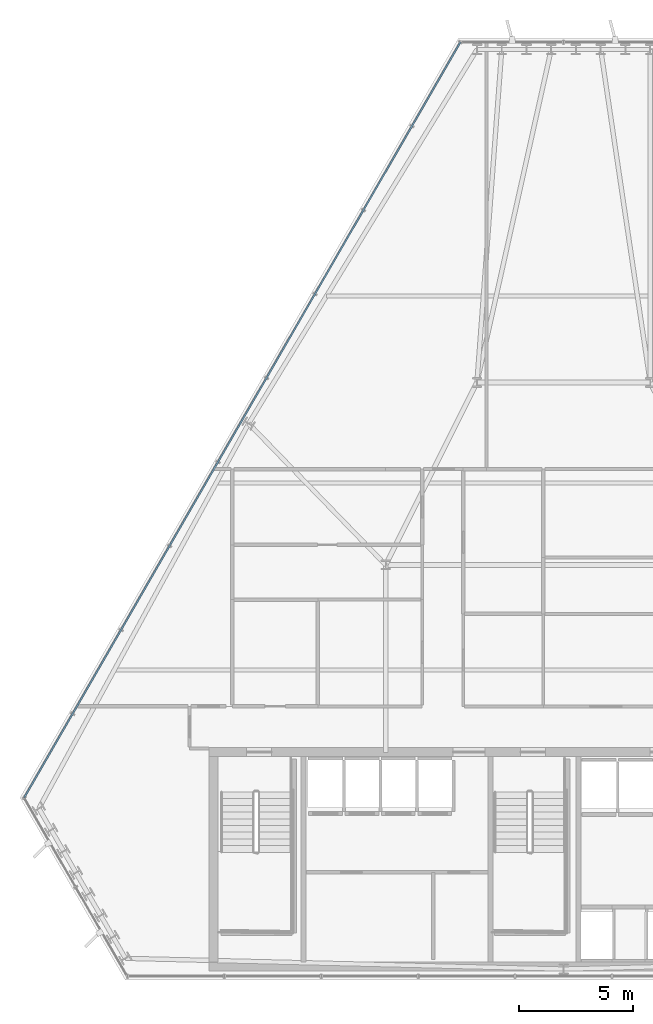
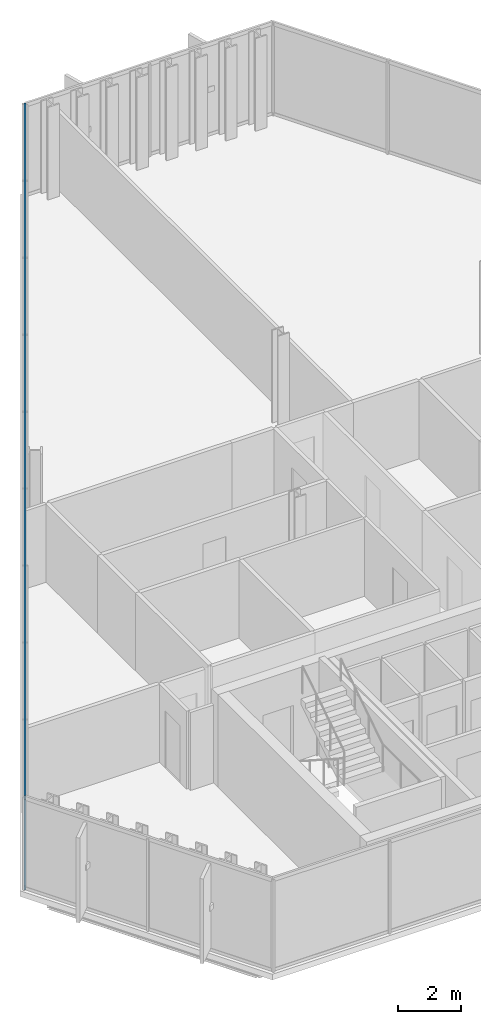
# One storey, part 11 of 34: 2 members, 1 element without a shape of its own.
"""IFC4 building model written with IfcOpenShell, lengths in metres."""

from ifc_helpers import new_model, si_unit, direction, frame, origin, origin_2d, place, context, subcontext, project, spatial, hollow_rectangle, extrude, material, layer, layer_set, material_profile, profile_set, type_object, element, aggregate, save


model = new_model("IFC4")

# Units and contexts
model_context = context("Model", 3, precision=1e-05, world=origin(), true_north=direction((0.0, 1.0)))
body_context = subcontext(model_context, "Body", "Model", "MODEL_VIEW")
ifc_project = project(units=[si_unit("LENGTHUNIT", "METRE"), si_unit("AREAUNIT", "SQUARE_METRE"), si_unit("VOLUMEUNIT", "CUBIC_METRE"), si_unit("PLANEANGLEUNIT", "RADIAN"), si_unit("MASSUNIT", "GRAM", prefix="KILO")], contexts=[model_context])

# Site, building, storey
site_placement = place(None, origin())
site = spatial("IfcSite", under=ifc_project, at=site_placement, CompositionType="ELEMENT")
building_placement = place(site_placement, origin())
building = spatial("IfcBuilding", under=site, at=building_placement, Name="Ndaravel Arena Tower", CompositionType="ELEMENT")
storey_placement = place(building_placement, frame((0.0, 0.0, 195.39990234375)))
storey = spatial("IfcBuildingStorey", under=building, at=storey_placement, Name="L47", CompositionType="ELEMENT", Elevation=195.39990234375)

# Curtain wall, members
ifc_material_1 = material(Name="Aluminium", Category="aluminium")
ifc_layer = layer(ifc_material_1, 0.179931640625)
ifc_layer_set = layer_set([ifc_layer], Name="Aluminium")
curtain_wall_type = type_object("IfcCurtainWallType", Name="CW-SYS-03", PredefinedType="NOTDEFINED", material=ifc_layer_set)
curtain_wall_placement = place(storey_placement, origin())
curtain_wall = element("IfcCurtainWall", 1, at=curtain_wall_placement, inside=storey, type_object=curtain_wall_type, Name="L47 Faceted Crystal Curtain Wall CW-L47-E05", PredefinedType="NOTDEFINED")
ifc_material_2 = material(Name="Aluminium", Category="aluminium")
ifc_material_profile = material_profile(ifc_material_2, hollow_rectangle(XDim=0.074951171875, YDim=0.14990234375, WallThickness=0.00390625, at=origin_2d()), Name="CW TRANSOM 75x150x4")
ifc_profile_set = profile_set([ifc_material_profile], Name="Aluminium")
member_type = type_object("IfcMemberType", Name="MEM-CW-TRN150", PredefinedType="USERDEFINED", material=ifc_profile_set)
member_1_placement = place(storey_placement, frame((37.47705078125, 46.1259765625, 0.0400390625), z_axis=(-0.499999759107, -0.866025542864, 0.0), x_axis=(0.866025542864, -0.499999759107, 0.0)))
member_1 = element("IfcMember", 2, at=member_1_placement, type_object=member_type, Name="CW-L47-E05 Transom 01", ObjectType="TRANSOM", PredefinedType="USERDEFINED", context=body_context, shape_type="SweptSolid", body=[
    extrude(hollow_rectangle(XDim=0.074951171875, YDim=0.14990234375, WallThickness=0.00390625, at=origin_2d()), origin(), (0.0, 0.0, 1.0), 38.25732421875),
])
member_2_placement = place(storey_placement, frame((37.47705078125, 46.1259765625, 3.5400390625), z_axis=(-0.499999759107, -0.866025542864, 0.0), x_axis=(0.866025542864, -0.499999759107, 0.0)))
member_2 = element("IfcMember", 3, at=member_2_placement, type_object=member_type, Name="CW-L47-E05 Transom 02", ObjectType="TRANSOM", PredefinedType="USERDEFINED", context=body_context, shape_type="SweptSolid", body=[
    extrude(hollow_rectangle(XDim=0.074951171875, YDim=0.14990234375, WallThickness=0.00390625, at=origin_2d()), origin(), (0.0, 0.0, 1.0), 38.25732421875),
])
aggregate(curtain_wall, [member_1, member_2])

save(model, "model.ifc")
